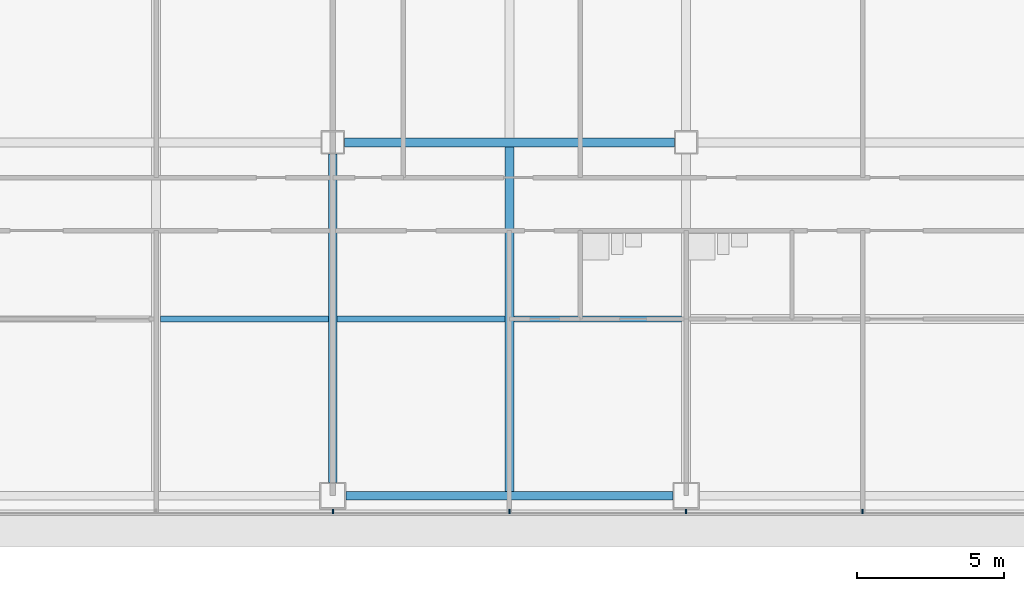
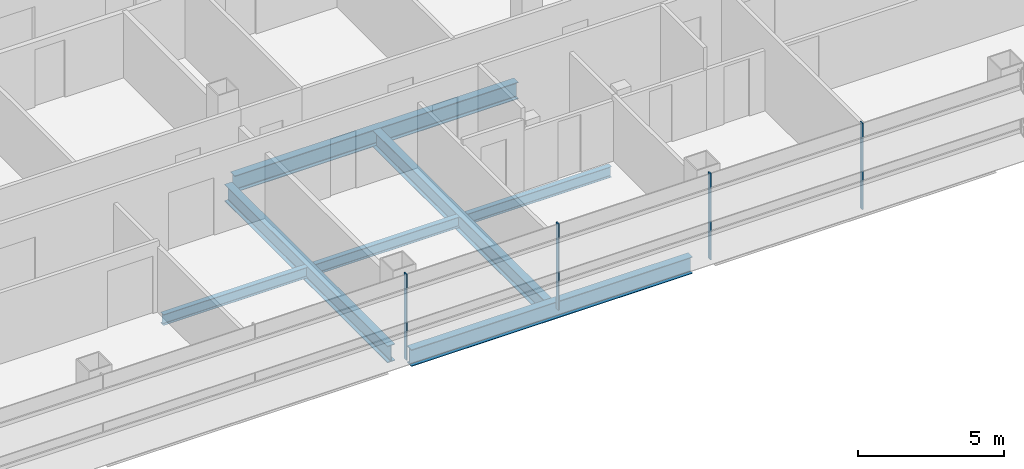
# One storey, part 8 of 27: 7 beams, 4 members, 1 element without a shape of its own.
"""IFC4 building model written with IfcOpenShell, lengths in metres."""

from ifc_helpers import new_model, si_unit, direction, frame, origin, origin_2d, place, context, subcontext, project, spatial, rectangle, i_section, extrude, material, material_profile, profile_set, type_object, element, aggregate, save


model = new_model("IFC4")

# Units and contexts
model_context = context("Model", 3, precision=1e-05, world=origin(), true_north=direction((0.0, 1.0)))
body_context = subcontext(model_context, "Body", "Model", "MODEL_VIEW")
ifc_project = project(units=[si_unit("LENGTHUNIT", "METRE"), si_unit("AREAUNIT", "SQUARE_METRE"), si_unit("VOLUMEUNIT", "CUBIC_METRE"), si_unit("PLANEANGLEUNIT", "RADIAN"), si_unit("MASSUNIT", "GRAM", prefix="KILO")], contexts=[model_context])

# Site, building, storey
site_placement = place(None, origin())
site = spatial("IfcSite", under=ifc_project, at=site_placement, CompositionType="ELEMENT")
building_placement = place(site_placement, origin())
building = spatial("IfcBuilding", under=site, at=building_placement, Name="Sorahane Residences", CompositionType="ELEMENT")
storey_placement = place(building_placement, frame((0.0, 0.0, 53.39990234375)))
storey = spatial("IfcBuildingStorey", under=building, at=storey_placement, Name="L09", CompositionType="ELEMENT", Elevation=53.39990234375)

# Curtain wall, members
ifc_material_1 = material(Name="Dark low-e glass and black anodised aluminium", Category="aluminium")
curtain_wall_type = type_object("IfcCurtainWallType", Name="Curtain wall CW-1 Typical unitised wall", PredefinedType="NOTDEFINED", material=ifc_material_1)
curtain_wall_placement = place(storey_placement, origin())
curtain_wall = element("IfcCurtainWall", 1, at=curtain_wall_placement, inside=storey, type_object=curtain_wall_type, Name="CW-1 curtain wall L09 S1", PredefinedType="NOTDEFINED")
ifc_material_2 = material(Name="Black anodised aluminium", Category="aluminium")
ifc_material_profile_1 = material_profile(ifc_material_2, rectangle(XDim=0.159912109375, YDim=0.050048828125, at=origin_2d()), Name="Curtain wall mullion CW-1 black anodised aluminium 50x160")
ifc_profile_set_1 = profile_set([ifc_material_profile_1], Name="Black anodised aluminium")
member_type = type_object("IfcMemberType", Name="Curtain wall mullion CW-1 black anodised aluminium 50x160", PredefinedType="MULLION", material=ifc_profile_set_1)
member_1_placement = place(storey_placement, frame((36.0, -0.5400390625, -0.179931640625), z_axis=(0.0, 0.0, 1.0), x_axis=(0.0, -1.0, 0.0)))
member_1 = element("IfcMember", 2, at=member_1_placement, type_object=member_type, Name="CW-1 mullion L09 S1.6", PredefinedType="MULLION", context=body_context, shape_type="SweptSolid", body=[
    extrude(rectangle(XDim=0.159912109375, YDim=0.050048828125, at=origin_2d()), origin(), (0.0, 0.0, 1.0), 3.60009765625),
])
member_2_placement = place(storey_placement, frame((42.0, -0.5400390625, -0.179931640625), z_axis=(0.0, 0.0, 1.0), x_axis=(0.0, -1.0, 0.0)))
member_2 = element("IfcMember", 3, at=member_2_placement, type_object=member_type, Name="CW-1 mullion L09 S1.7", PredefinedType="MULLION", context=body_context, shape_type="SweptSolid", body=[
    extrude(rectangle(XDim=0.159912109375, YDim=0.050048828125, at=origin_2d()), origin(), (0.0, 0.0, 1.0), 3.60009765625),
])
member_3_placement = place(storey_placement, frame((48.0, -0.5400390625, -0.179931640625), z_axis=(0.0, 0.0, 1.0), x_axis=(0.0, -1.0, 0.0)))
member_3 = element("IfcMember", 4, at=member_3_placement, type_object=member_type, Name="CW-1 mullion L09 S1.8", PredefinedType="MULLION", context=body_context, shape_type="SweptSolid", body=[
    extrude(rectangle(XDim=0.159912109375, YDim=0.050048828125, at=origin_2d()), origin(), (0.0, 0.0, 1.0), 3.60009765625),
])
member_4_placement = place(storey_placement, frame((54.0, -0.5400390625, -0.179931640625), z_axis=(0.0, 0.0, 1.0), x_axis=(0.0, -1.0, 0.0)))
member_4 = element("IfcMember", 5, at=member_4_placement, type_object=member_type, Name="CW-1 mullion L09 S1.9", PredefinedType="MULLION", context=body_context, shape_type="SweptSolid", body=[
    extrude(rectangle(XDim=0.159912109375, YDim=0.050048828125, at=origin_2d()), origin(), (0.0, 0.0, 1.0), 3.60009765625),
])
aggregate(curtain_wall, [member_1, member_2, member_3, member_4])

# Beams
ifc_material_3 = material(Name="Steel Q355B", Category="steel")
ifc_material_profile_2 = material_profile(ifc_material_3, i_section(OverallWidth=0.199951171875, OverallDepth=0.449951171875, WebThickness=0.009033203125, FlangeThickness=0.013916015625, FilletRadius=0.02001953125, at=origin_2d()), Name="HN 450x200x9x14")
ifc_profile_set_2 = profile_set([ifc_material_profile_2], Name="Steel Q355B")
beam_type_1 = type_object("IfcBeamType", Name="Steel floor beam HN 450x200x9x14 Q355B", PredefinedType="BEAM", material=ifc_profile_set_2)
for number, where, z_axis, x_axis, name in (
    (6, (30.14990234375, 6.0, -0.40478515625), (1.0, 0.0, 0.0), (0.0, 1.0, 0.0), "Beam L09 066"),
    (7, (36.14990234375, 6.0, -0.40478515625), (1.0, 0.0, 0.0), (0.0, 1.0, 0.0), "Beam L09 067"),
    (8, (42.14990234375, 6.0, -0.40478515625), (1.0, 0.0, 0.0), (0.0, 1.0, 0.0), "Beam L09 068"),
):
    element("IfcBeam", number, at=place(storey_placement, frame(where, z_axis=z_axis, x_axis=x_axis)), inside=storey, type_object=beam_type_1, Name=name, PredefinedType="BEAM", context=body_context, shape_type="SweptSolid", body=[
        extrude(i_section(OverallWidth=0.199951171875, OverallDepth=0.449951171875, WebThickness=0.009033203125, FlangeThickness=0.013916015625, FilletRadius=0.02001953125, at=origin_2d()), origin(), (0.0, 0.0, 1.0), 5.7001953125),
    ])
ifc_material_4 = material(Name="Steel Q355B", Category="steel")
ifc_material_profile_3 = material_profile(ifc_material_4, i_section(OverallWidth=0.300048828125, OverallDepth=0.699951171875, WebThickness=0.012939453125, FlangeThickness=0.02392578125, FilletRadius=0.028076171875, at=origin_2d()), Name="HN 700x300x13x24")
ifc_profile_set_3 = profile_set([ifc_material_profile_3], Name="Steel Q355B")
beam_type_2 = type_object("IfcBeamType", Name="Steel floor beam HN 700x300x13x24 Q355B", PredefinedType="BEAM", material=ifc_profile_set_3)
beam_1_placement = place(storey_placement, frame((36.449951171875, 0.0, -0.52978515625), z_axis=(1.0, 0.0, 0.0), x_axis=(0.0, 1.0, 0.0)))
element("IfcBeam", 9, at=beam_1_placement, inside=storey, type_object=beam_type_2, Name="Beam L09 003", PredefinedType="BEAM", context=body_context, shape_type="SweptSolid", body=[
    extrude(i_section(OverallWidth=0.300048828125, OverallDepth=0.699951171875, WebThickness=0.012939453125, FlangeThickness=0.02392578125, FilletRadius=0.028076171875, at=origin_2d()), origin(), (0.0, 0.0, 1.0), 11.10009765625),
])
beam_2_placement = place(storey_placement, frame((36.39990234375, 12.0, -0.52978515625), z_axis=(1.0, 0.0, 0.0), x_axis=(0.0, 1.0, 0.0)))
element("IfcBeam", 10, at=beam_2_placement, inside=storey, type_object=beam_type_2, Name="Beam L09 008", PredefinedType="BEAM", context=body_context, shape_type="SweptSolid", body=[
    extrude(i_section(OverallWidth=0.300048828125, OverallDepth=0.699951171875, WebThickness=0.012939453125, FlangeThickness=0.02392578125, FilletRadius=0.028076171875, at=origin_2d()), origin(), (0.0, 0.0, 1.0), 11.2001953125),
])
beam_3_placement = place(storey_placement, frame((36.0, 0.449951171875, -0.52978515625), z_axis=(0.0, 1.0, 0.0), x_axis=(-1.0, 0.0, 0.0)))
element("IfcBeam", 11, at=beam_3_placement, inside=storey, type_object=beam_type_2, Name="Beam L09 043", PredefinedType="BEAM", context=body_context, shape_type="SweptSolid", body=[
    extrude(i_section(OverallWidth=0.300048828125, OverallDepth=0.699951171875, WebThickness=0.012939453125, FlangeThickness=0.02392578125, FilletRadius=0.028076171875, at=origin_2d()), origin(), (0.0, 0.0, 1.0), 11.150146484375),
])
beam_4_placement = place(storey_placement, frame((42.0, 0.14990234375, -0.52978515625), z_axis=(0.0, 1.0, 0.0), x_axis=(-1.0, 0.0, 0.0)))
element("IfcBeam", 12, at=beam_4_placement, inside=storey, type_object=beam_type_2, Name="Beam L09 045", PredefinedType="BEAM", context=body_context, shape_type="SweptSolid", body=[
    extrude(i_section(OverallWidth=0.300048828125, OverallDepth=0.699951171875, WebThickness=0.012939453125, FlangeThickness=0.02392578125, FilletRadius=0.028076171875, at=origin_2d()), origin(), (0.0, 0.0, 1.0), 11.7001953125),
])

save(model, "model.ifc")
